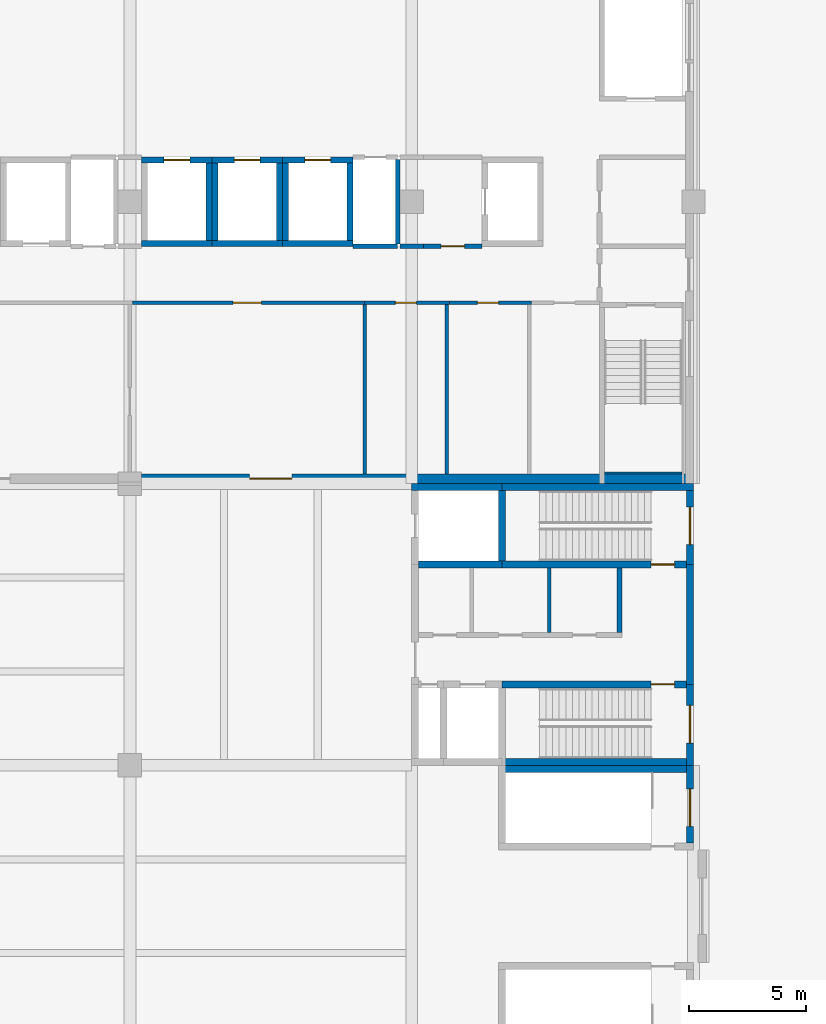
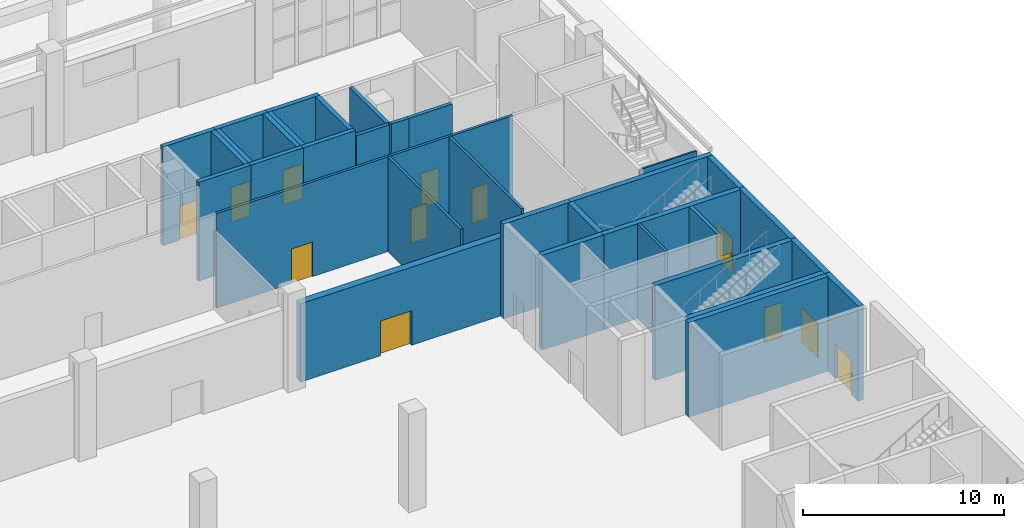
# One storey, part 48 of 59: 36 walls, 13 doors, 13 openings.
"""IFC4 building model written with IfcOpenShell, lengths in metres."""

from ifc_helpers import new_model, si_unit, direction, frame, frame_2d, origin, place, context, subcontext, project, spatial, rectangle, extrude, material, layer, layer_set, type_object, element, fill, save


model = new_model("IFC4")

# Units and contexts
model_context = context("Model", 3, precision=1e-05, world=origin(), true_north=direction((0.0, 1.0)))
body_context = subcontext(model_context, "Body", "Model", "MODEL_VIEW")
ifc_project = project(units=[si_unit("LENGTHUNIT", "METRE"), si_unit("AREAUNIT", "SQUARE_METRE"), si_unit("VOLUMEUNIT", "CUBIC_METRE"), si_unit("PLANEANGLEUNIT", "RADIAN"), si_unit("MASSUNIT", "GRAM", prefix="KILO")], contexts=[model_context])

# Site, building, storey
site_placement = place(None, origin())
site = spatial("IfcSite", under=ifc_project, at=site_placement, CompositionType="ELEMENT")
building_placement = place(site_placement, origin())
building = spatial("IfcBuilding", under=site, at=building_placement, Name="Lilac Gate Convention Centre", CompositionType="ELEMENT")
storey_placement = place(building_placement, origin())
storey = spatial("IfcBuildingStorey", under=building, at=storey_placement, Name="L00", CompositionType="ELEMENT", Elevation=0.0)

# Walls
ifc_material_1 = material(Name="Concrete C60", Category="concrete")
ifc_layer_1 = layer(ifc_material_1, 0.10009765625)
ifc_layer_set_1 = layer_set([ifc_layer_1], Name="Concrete C60")
wall_type_1 = type_object("IfcWallType", Name="Core wall 100 C60", PredefinedType="SHEAR", material=ifc_layer_set_1)
wall_1_placement = place(storey_placement, frame((89.5, 222.449951171875, 0.0), z_axis=(0.0, 0.0, 1.0), x_axis=(-1.0, 0.0, 0.0)))
element("IfcWall", 1, at=wall_1_placement, inside=storey, type_object=wall_type_1, Name="CRW8 core wall TS-EX L00 2", PredefinedType="SHEAR", context=body_context, shape_type="SweptSolid", body=[
    extrude(rectangle(XDim=3.300048828125, YDim=0.10009765625, at=frame_2d((1.64990234375, 0.0))), origin(), (0.0, 0.0, 1.0), 5.75),
])
ifc_layer_2 = layer(ifc_material_1, 0.25)
ifc_layer_set_2 = layer_set([ifc_layer_2], Name="Concrete C60")
wall_type_2 = type_object("IfcWallType", Name="Core wall 250 C60", PredefinedType="SHEAR", material=ifc_layer_set_2)
wall_2_placement = place(storey_placement, frame((66.5, 232.22509765625, 0.0), z_axis=(0.0, 0.0, 1.0), x_axis=(1.0, 0.0, 0.0)))
element("IfcWall", 2, at=wall_2_placement, inside=storey, type_object=wall_type_2, Name="CRW3 core wall TC L00 13", PredefinedType="SHEAR", context=body_context, shape_type="SweptSolid", body=[
    extrude(rectangle(XDim=3.0, YDim=0.25, at=frame_2d((1.5, 0.0))), origin(), (0.0, 0.0, 1.0), 6.0),
])

# Wall, opening, door
wall_3_placement = place(storey_placement, frame((66.5, 235.77490234375, 0.0), z_axis=(0.0, 0.0, 1.0), x_axis=(1.0, 0.0, 0.0)))
wall_3 = element("IfcWall", 3, at=wall_3_placement, inside=storey, type_object=wall_type_2, Name="CRW3 core wall TC L00 14", PredefinedType="SHEAR", context=body_context, shape_type="SweptSolid", body=[
    extrude(rectangle(XDim=3.0, YDim=0.25, at=frame_2d((1.5, 0.0))), origin(), (0.0, 0.0, 1.0), 6.0),
])
opening_1_placement = place(wall_3_placement, frame((0.949951171875, 0.0, 0.0)))
opening_1 = element("IfcOpeningElement", 4, at=opening_1_placement, cuts=wall_3, Name="Opening T00-019", PredefinedType="OPENING", context=body_context, shape_type="SweptSolid", body=[
    extrude(rectangle(XDim=1.10009765625, YDim=2.10009765625, at=frame_2d((0.550048828125, 1.050048828125))), frame((0.0, 0.135009765625, 0.0), z_axis=(0.0, -1.0, 0.0), x_axis=(1.0, 0.0, 0.0)), (0.0, 0.0, 1.0), 0.27001953125),
])
ifc_material_2 = material(Name="Stainless steel 304", Category="steel")
door_type_1 = type_object("IfcDoorType", Name="Lift landing door 1100", OperationType="SLIDING_TO_LEFT", PredefinedType="DOOR", material=ifc_material_2)
door_1_placement = place(opening_1_placement, origin())
door_1 = element("IfcDoor", 5, at=door_1_placement, inside=storey, type_object=door_type_1, Name="Lift landing door TP4 L00", OperationType="SLIDING_TO_LEFT", OverallHeight=2.10009765625, OverallWidth=1.10009765625, PredefinedType="DOOR", context=body_context, shape_type="SweptSolid", body=[
    extrude(rectangle(XDim=1.10009765625, YDim=2.10009765625, at=frame_2d((0.550048828125, 1.050048828125))), frame((0.0, 0.02490234375, 0.0), z_axis=(0.0, -1.0, 0.0), x_axis=(1.0, 0.0, 0.0)), (0.0, 0.0, 1.0), 0.050048828125),
])
fill(opening_1, door_1)

# Walls
wall_4_placement = place(storey_placement, frame((69.375, 232.35009765625, 0.0), z_axis=(0.0, 0.0, 1.0), x_axis=(0.0, 1.0, 0.0)))
element("IfcWall", 6, at=wall_4_placement, inside=storey, type_object=wall_type_2, Name="CRW3 core wall TC L00 16", PredefinedType="SHEAR", context=body_context, shape_type="SweptSolid", body=[
    extrude(rectangle(XDim=3.2998046875, YDim=0.25, at=frame_2d((1.64990234375, 0.0))), origin(), (0.0, 0.0, 1.0), 6.0),
])
wall_5_placement = place(storey_placement, frame((69.5, 232.22509765625, 0.0), z_axis=(0.0, 0.0, 1.0), x_axis=(1.0, 0.0, 0.0)))
element("IfcWall", 7, at=wall_5_placement, inside=storey, type_object=wall_type_2, Name="CRW3 core wall TC L00 17", PredefinedType="SHEAR", context=body_context, shape_type="SweptSolid", body=[
    extrude(rectangle(XDim=3.0, YDim=0.25, at=frame_2d((1.5, 0.0))), origin(), (0.0, 0.0, 1.0), 6.0),
])

# Wall, opening, door
wall_6_placement = place(storey_placement, frame((69.5, 235.77490234375, 0.0), z_axis=(0.0, 0.0, 1.0), x_axis=(1.0, 0.0, 0.0)))
wall_6 = element("IfcWall", 8, at=wall_6_placement, inside=storey, type_object=wall_type_2, Name="CRW3 core wall TC L00 18", PredefinedType="SHEAR", context=body_context, shape_type="SweptSolid", body=[
    extrude(rectangle(XDim=3.0, YDim=0.25, at=frame_2d((1.5, 0.0))), origin(), (0.0, 0.0, 1.0), 6.0),
])
opening_2_placement = place(wall_6_placement, frame((0.949951171875, 0.0, 0.0)))
opening_2 = element("IfcOpeningElement", 9, at=opening_2_placement, cuts=wall_6, Name="Opening T00-020", PredefinedType="OPENING", context=body_context, shape_type="SweptSolid", body=[
    extrude(rectangle(XDim=1.10009765625, YDim=2.10009765625, at=frame_2d((0.550048828125, 1.050048828125))), frame((0.0, 0.135009765625, 0.0), z_axis=(0.0, -1.0, 0.0), x_axis=(1.0, 0.0, 0.0)), (0.0, 0.0, 1.0), 0.27001953125),
])
door_2_placement = place(opening_2_placement, origin())
door_2 = element("IfcDoor", 10, at=door_2_placement, inside=storey, type_object=door_type_1, Name="Lift landing door TP5 L00", OperationType="SLIDING_TO_LEFT", OverallHeight=2.10009765625, OverallWidth=1.10009765625, PredefinedType="DOOR", context=body_context, shape_type="SweptSolid", body=[
    extrude(rectangle(XDim=1.10009765625, YDim=2.10009765625, at=frame_2d((0.550048828125, 1.050048828125))), frame((0.0, 0.02490234375, 0.0), z_axis=(0.0, -1.0, 0.0), x_axis=(1.0, 0.0, 0.0)), (0.0, 0.0, 1.0), 0.050048828125),
])
fill(opening_2, door_2)

# Walls
for number, where, z_axis, x_axis, name in (
    (11, (69.625, 232.35009765625, 0.0), (0.0, 0.0, 1.0), (0.0, 1.0, 0.0), "CRW3 core wall TC L00 19"),
    (12, (72.375, 232.35009765625, 0.0), (0.0, 0.0, 1.0), (0.0, 1.0, 0.0), "CRW3 core wall TC L00 20"),
):
    element("IfcWall", number, at=place(storey_placement, frame(where, z_axis=z_axis, x_axis=x_axis)), inside=storey, type_object=wall_type_2, Name=name, PredefinedType="SHEAR", context=body_context, shape_type="SweptSolid", body=[
        extrude(rectangle(XDim=3.2998046875, YDim=0.25, at=frame_2d((1.64990234375, 0.0))), origin(), (0.0, 0.0, 1.0), 6.0),
    ])
wall_7_placement = place(storey_placement, frame((72.5, 232.22509765625, 0.0), z_axis=(0.0, 0.0, 1.0), x_axis=(1.0, 0.0, 0.0)))
element("IfcWall", 13, at=wall_7_placement, inside=storey, type_object=wall_type_2, Name="CRW3 core wall TC L00 21", PredefinedType="SHEAR", context=body_context, shape_type="SweptSolid", body=[
    extrude(rectangle(XDim=3.0, YDim=0.25, at=frame_2d((1.5, 0.0))), origin(), (0.0, 0.0, 1.0), 6.0),
])

# Wall, opening, door
wall_8_placement = place(storey_placement, frame((72.5, 235.77490234375, 0.0), z_axis=(0.0, 0.0, 1.0), x_axis=(1.0, 0.0, 0.0)))
wall_8 = element("IfcWall", 14, at=wall_8_placement, inside=storey, type_object=wall_type_2, Name="CRW3 core wall TC L00 22", PredefinedType="SHEAR", context=body_context, shape_type="SweptSolid", body=[
    extrude(rectangle(XDim=3.0, YDim=0.25, at=frame_2d((1.5, 0.0))), origin(), (0.0, 0.0, 1.0), 6.0),
])
opening_3_placement = place(wall_8_placement, frame((0.949951171875, 0.0, 0.0)))
opening_3 = element("IfcOpeningElement", 15, at=opening_3_placement, cuts=wall_8, Name="Opening T00-021", PredefinedType="OPENING", context=body_context, shape_type="SweptSolid", body=[
    extrude(rectangle(XDim=1.10009765625, YDim=2.10009765625, at=frame_2d((0.550048828125, 1.050048828125))), frame((0.0, 0.135009765625, 0.0), z_axis=(0.0, -1.0, 0.0), x_axis=(1.0, 0.0, 0.0)), (0.0, 0.0, 1.0), 0.27001953125),
])
door_3_placement = place(opening_3_placement, origin())
door_3 = element("IfcDoor", 16, at=door_3_placement, inside=storey, type_object=door_type_1, Name="Lift landing door TP6 L00", OperationType="SLIDING_TO_LEFT", OverallHeight=2.10009765625, OverallWidth=1.10009765625, PredefinedType="DOOR", context=body_context, shape_type="SweptSolid", body=[
    extrude(rectangle(XDim=1.10009765625, YDim=2.10009765625, at=frame_2d((0.550048828125, 1.050048828125))), frame((0.0, 0.02490234375, 0.0), z_axis=(0.0, -1.0, 0.0), x_axis=(1.0, 0.0, 0.0)), (0.0, 0.0, 1.0), 0.050048828125),
])
fill(opening_3, door_3)

# Walls
for number, where, z_axis, x_axis, name in (
    (17, (72.625, 232.35009765625, 0.0), (0.0, 0.0, 1.0), (0.0, 1.0, 0.0), "CRW3 core wall TC L00 23"),
    (18, (75.375, 232.35009765625, 0.0), (0.0, 0.0, 1.0), (0.0, 1.0, 0.0), "CRW3 core wall TC L00 24"),
):
    element("IfcWall", number, at=place(storey_placement, frame(where, z_axis=z_axis, x_axis=x_axis)), inside=storey, type_object=wall_type_2, Name=name, PredefinedType="SHEAR", context=body_context, shape_type="SweptSolid", body=[
        extrude(rectangle(XDim=3.2998046875, YDim=0.25, at=frame_2d((1.64990234375, 0.0))), origin(), (0.0, 0.0, 1.0), 6.0),
    ])

# Wall, opening, door
ifc_material_3 = material(Name="Gypsum board on steel stud", Category="steel")
ifc_layer_3 = layer(ifc_material_3, 0.14990234375)
ifc_layer_set_3 = layer_set([ifc_layer_3], Name="Gypsum board on steel stud")
wall_type_3 = type_object("IfcWallType", Name="Corridor wall 150", PredefinedType="PARTITIONING", material=ifc_layer_set_3)
wall_9_placement = place(storey_placement, frame((76.0, 229.699951171875, 0.0), z_axis=(0.0, 0.0, 1.0), x_axis=(-1.0, 0.0, 0.0)))
wall_9 = element("IfcWall", 19, at=wall_9_placement, inside=storey, type_object=wall_type_3, Name="Corridor wall 150 front RKT", PredefinedType="PARTITIONING", context=body_context, shape_type="SweptSolid", body=[
    extrude(rectangle(XDim=9.89990234375, YDim=0.14990234375, at=frame_2d((4.949951171875, 0.0))), origin(), (0.0, 0.0, 1.0), 5.75),
])
opening_4_placement = place(wall_9_placement, frame((4.39990234375, 0.0, 0.0)))
opening_4 = element("IfcOpeningElement", 20, at=opening_4_placement, cuts=wall_9, Name="Opening T00-010", PredefinedType="OPENING", context=body_context, shape_type="SweptSolid", body=[
    extrude(rectangle(XDim=1.199951171875, YDim=2.10009765625, at=frame_2d((0.60009765625, 1.050048828125))), frame((0.0, 0.0849609375, 0.0), z_axis=(0.0, -1.0, 0.0), x_axis=(1.0, 0.0, 0.0)), (0.0, 0.0, 1.0), 0.169921875),
])
ifc_material_4 = material(Name="Steel Q235B", Category="steel")
door_type_2 = type_object("IfcDoorType", Name="Kitchen door 1200", OperationType="SINGLE_SWING_LEFT", PredefinedType="DOOR", material=ifc_material_4)
door_4_placement = place(opening_4_placement, origin())
door_4 = element("IfcDoor", 21, at=door_4_placement, inside=storey, type_object=door_type_2, Name="Restaurant Kitchen door", OperationType="SINGLE_SWING_LEFT", OverallHeight=2.10009765625, OverallWidth=1.199951171875, PredefinedType="DOOR", context=body_context, shape_type="SweptSolid", body=[
    extrude(rectangle(XDim=1.199951171875, YDim=2.10009765625, at=frame_2d((0.60009765625, 1.050048828125))), frame((0.0, 0.02490234375, 0.0), z_axis=(0.0, -1.0, 0.0), x_axis=(1.0, 0.0, 0.0)), (0.0, 0.0, 1.0), 0.050048828125),
])
fill(opening_4, door_4)

wall_10_placement = place(storey_placement, frame((79.60009765625, 229.699951171875, 0.0), z_axis=(0.0, 0.0, 1.0), x_axis=(-1.0, 0.0, 0.0)))
wall_10 = element("IfcWall", 22, at=wall_10_placement, inside=storey, type_object=wall_type_3, Name="Corridor wall 150 front WC-W", PredefinedType="PARTITIONING", context=body_context, shape_type="SweptSolid", body=[
    extrude(rectangle(XDim=3.60009765625, YDim=0.14990234375, at=frame_2d((1.800048828125, 0.0))), origin(), (0.0, 0.0, 1.0), 5.75),
])
opening_5_placement = place(wall_10_placement, frame((1.39990234375, 0.0, 0.0)))
opening_5 = element("IfcOpeningElement", 23, at=opening_5_placement, cuts=wall_10, Name="Opening T00-012", PredefinedType="OPENING", context=body_context, shape_type="SweptSolid", body=[
    extrude(rectangle(XDim=0.89990234375, YDim=2.10009765625, at=frame_2d((0.449951171875, 1.050048828125))), frame((0.0, 0.0849609375, 0.0), z_axis=(0.0, -1.0, 0.0), x_axis=(1.0, 0.0, 0.0)), (0.0, 0.0, 1.0), 0.169921875),
])
ifc_material_5 = material(Name="Timber", Category="wood")
door_type_3 = type_object("IfcDoorType", Name="WC door 900", OperationType="SINGLE_SWING_LEFT", PredefinedType="DOOR", material=ifc_material_5)
door_5_placement = place(opening_5_placement, origin())
door_5 = element("IfcDoor", 24, at=door_5_placement, inside=storey, type_object=door_type_3, Name="Women's WC door", OperationType="SINGLE_SWING_LEFT", OverallHeight=2.10009765625, OverallWidth=0.89990234375, PredefinedType="DOOR", context=body_context, shape_type="SweptSolid", body=[
    extrude(rectangle(XDim=0.89990234375, YDim=2.10009765625, at=frame_2d((0.449951171875, 1.050048828125))), frame((0.0, 0.02490234375, 0.0), z_axis=(0.0, -1.0, 0.0), x_axis=(1.0, 0.0, 0.0)), (0.0, 0.0, 1.0), 0.050048828125),
])
fill(opening_5, door_5)

wall_11_placement = place(storey_placement, frame((83.10009765625, 229.699951171875, 0.0), z_axis=(0.0, 0.0, 1.0), x_axis=(-1.0, 0.0, 0.0)))
wall_11 = element("IfcWall", 25, at=wall_11_placement, inside=storey, type_object=wall_type_3, Name="Corridor wall 150 front WC-M", PredefinedType="PARTITIONING", context=body_context, shape_type="SweptSolid", body=[
    extrude(rectangle(XDim=3.5, YDim=0.14990234375, at=frame_2d((1.75, 0.0))), origin(), (0.0, 0.0, 1.0), 5.75),
])
opening_6_placement = place(wall_11_placement, frame((1.39990234375, 0.0, 0.0)))
opening_6 = element("IfcOpeningElement", 26, at=opening_6_placement, cuts=wall_11, Name="Opening T00-013", PredefinedType="OPENING", context=body_context, shape_type="SweptSolid", body=[
    extrude(rectangle(XDim=0.89990234375, YDim=2.10009765625, at=frame_2d((0.449951171875, 1.050048828125))), frame((0.0, 0.0849609375, 0.0), z_axis=(0.0, -1.0, 0.0), x_axis=(1.0, 0.0, 0.0)), (0.0, 0.0, 1.0), 0.169921875),
])
door_6_placement = place(opening_6_placement, origin())
door_6 = element("IfcDoor", 27, at=door_6_placement, inside=storey, type_object=door_type_3, Name="Men's WC door", OperationType="SINGLE_SWING_LEFT", OverallHeight=2.10009765625, OverallWidth=0.89990234375, PredefinedType="DOOR", context=body_context, shape_type="SweptSolid", body=[
    extrude(rectangle(XDim=0.89990234375, YDim=2.10009765625, at=frame_2d((0.449951171875, 1.050048828125))), frame((0.0, 0.02490234375, 0.0), z_axis=(0.0, -1.0, 0.0), x_axis=(1.0, 0.0, 0.0)), (0.0, 0.0, 1.0), 0.050048828125),
])
fill(opening_6, door_6)

ifc_material_6 = material(Name="Concrete C30", Category="concrete")
ifc_layer_4 = layer(ifc_material_6, 0.39990234375)
ifc_layer_set_4 = layer_set([ifc_layer_4], Name="Concrete C30")
wall_type_4 = type_object("IfcWallType", Name="Hall fire wall 400", PredefinedType="SOLIDWALL", material=ifc_layer_set_4)
wall_12_placement = place(storey_placement, frame((66.5, 222.199951171875, 0.0), z_axis=(0.0, 0.0, 1.0), x_axis=(1.0, 0.0, 0.0)))
wall_12 = element("IfcWall", 28, at=wall_12_placement, inside=storey, type_object=wall_type_4, Name="Compartment wall S L00 3", PredefinedType="SOLIDWALL", context=body_context, shape_type="SweptSolid", body=[
    extrude(rectangle(XDim=23.5, YDim=0.39990234375, at=frame_2d((11.75, 0.0))), origin(), (0.0, 0.0, 1.0), 4.75),
])
opening_7_placement = place(wall_12_placement, frame((4.60009765625, 0.0, 0.0)))
opening_7 = element("IfcOpeningElement", 29, at=opening_7_placement, cuts=wall_12, Name="Opening L00-149", PredefinedType="OPENING", context=body_context, shape_type="SweptSolid", body=[
    extrude(rectangle(XDim=1.800048828125, YDim=2.10009765625, at=frame_2d((0.89990234375, 1.050048828125))), frame((0.0, 0.2099609375, 0.0), z_axis=(0.0, -1.0, 0.0), x_axis=(1.0, 0.0, 0.0)), (0.0, 0.0, 1.0), 0.419921875),
])
door_type_4 = type_object("IfcDoorType", Name="Door 1800 x 2100 double leaf FD90", OperationType="DOUBLE_DOOR_SINGLE_SWING", PredefinedType="DOOR", material=ifc_material_4)
door_7_placement = place(opening_7_placement, frame((1.800048828125, 0.0, 0.0), z_axis=(0.0, 0.0, 1.0), x_axis=(-1.0, 0.0, 0.0)))
door_7 = element("IfcDoor", 30, at=door_7_placement, inside=storey, type_object=door_type_4, Name="Fire door to hotel L00-149", OperationType="DOUBLE_DOOR_SINGLE_SWING", OverallHeight=2.10009765625, OverallWidth=1.800048828125, PredefinedType="DOOR", context=body_context, shape_type="SweptSolid", body=[
    extrude(rectangle(XDim=1.800048828125, YDim=2.10009765625, at=frame_2d((0.89990234375, 1.050048828125))), frame((0.0, 0.02490234375, 0.0), z_axis=(0.0, -1.0, 0.0), x_axis=(1.0, 0.0, 0.0)), (0.0, 0.0, 1.0), 0.050048828125),
])
fill(opening_7, door_7)

ifc_layer_5 = layer(ifc_material_3, 0.199951171875)
ifc_layer_set_5 = layer_set([ifc_layer_5], Name="Gypsum board on steel stud")
wall_type_5 = type_object("IfcWallType", Name="Lobby wall 200", PredefinedType="PARTITIONING", material=ifc_layer_set_5)
wall_13_placement = place(storey_placement, frame((78.5, 232.10009765625, 0.0), z_axis=(0.0, 0.0, 1.0), x_axis=(1.0, 0.0, 0.0)))
wall_13 = element("IfcWall", 31, at=wall_13_placement, inside=storey, type_object=wall_type_5, Name="Lobby wall 200 FFL-S", PredefinedType="PARTITIONING", context=body_context, shape_type="SweptSolid", body=[
    extrude(rectangle(XDim=2.5, YDim=0.199951171875, at=frame_2d((1.25, 0.0))), origin(), (0.0, 0.0, 1.0), 5.75),
])
opening_8_placement = place(wall_13_placement, frame((0.75, 0.0, 0.0)))
opening_8 = element("IfcOpeningElement", 32, at=opening_8_placement, cuts=wall_13, Name="Opening T00-004", PredefinedType="OPENING", context=body_context, shape_type="SweptSolid", body=[
    extrude(rectangle(XDim=1.0, YDim=2.10009765625, at=frame_2d((0.5, 1.050048828125))), frame((0.0, 0.10986328125, 0.0), z_axis=(0.0, -1.0, 0.0), x_axis=(1.0, 0.0, 0.0)), (0.0, 0.0, 1.0), 0.219970703125),
])
door_type_5 = type_object("IfcDoorType", Name="Lobby door 1000", OperationType="SINGLE_SWING_LEFT", PredefinedType="DOOR", material=ifc_material_4)
door_8_placement = place(opening_8_placement, origin())
door_8 = element("IfcDoor", 33, at=door_8_placement, inside=storey, type_object=door_type_5, Name="Firefighting lobby door", OperationType="SINGLE_SWING_RIGHT", OverallHeight=2.10009765625, OverallWidth=1.0, PredefinedType="DOOR", context=body_context, shape_type="SweptSolid", body=[
    extrude(rectangle(XDim=1.0, YDim=2.10009765625, at=frame_2d((0.5, 1.050048828125))), frame((0.0, 0.02490234375, 0.0), z_axis=(0.0, -1.0, 0.0), x_axis=(1.0, 0.0, 0.0)), (0.0, 0.0, 1.0), 0.050048828125),
])
fill(opening_8, door_8)

# Walls
ifc_material_7 = material(Name="Fire-rated gypsum board on steel stud", Category="steel")
ifc_layer_6 = layer(ifc_material_7, 0.14990234375)
ifc_layer_set_6 = layer_set([ifc_layer_6], Name="Fire-rated gypsum board on steel stud")
wall_type_6 = type_object("IfcWallType", Name="Partition 150 fire-rated gypsum board EI 60", PredefinedType="PARTITIONING", material=ifc_layer_set_6)
wall_14_placement = place(storey_placement, frame((83.85009765625, 215.64990234375, 0.0), z_axis=(0.0, 0.0, 1.0), x_axis=(0.0, 1.0, 0.0)))
element("IfcWall", 34, at=wall_14_placement, inside=storey, type_object=wall_type_6, Name="Partition 150 fire-rated gypsum board EI 60", PredefinedType="PARTITIONING", context=body_context, shape_type="SweptSolid", body=[
    extrude(rectangle(XDim=2.75, YDim=0.14990234375, at=frame_2d((1.375, 0.0))), origin(), (0.0, 0.0, 1.0), 5.75),
])
ifc_material_8 = material(Name="Clay brick masonry", Category="masonry")
ifc_layer_7 = layer(ifc_material_8, 0.199951171875)
ifc_layer_set_7 = layer_set([ifc_layer_7], Name="Clay brick masonry")
wall_type_7 = type_object("IfcWallType", Name="Partition 200 brick EI 60", PredefinedType="PARTITIONING", material=ifc_layer_set_7)
wall_15_placement = place(storey_placement, frame((86.85009765625, 215.64990234375, 0.0), z_axis=(0.0, 0.0, 1.0), x_axis=(0.0, 1.0, 0.0)))
element("IfcWall", 35, at=wall_15_placement, inside=storey, type_object=wall_type_7, Name="Partition 200 brick EI 60", PredefinedType="PARTITIONING", context=body_context, shape_type="SweptSolid", body=[
    extrude(rectangle(XDim=2.75, YDim=0.199951171875, at=frame_2d((1.375, 0.0))), origin(), (0.0, 0.0, 1.0), 5.75),
])
ifc_layer_8 = layer(ifc_material_3, 0.199951171875)
ifc_layer_set_8 = layer_set([ifc_layer_8], Name="Gypsum board on steel stud")
wall_type_8 = type_object("IfcWallType", Name="Riser and store wall 200", PredefinedType="PARTITIONING", material=ifc_layer_set_8)
wall_16_placement = place(storey_placement, frame((75.5, 232.10009765625, 0.0), z_axis=(0.0, 0.0, 1.0), x_axis=(1.0, 0.0, 0.0)))
element("IfcWall", 36, at=wall_16_placement, inside=storey, type_object=wall_type_8, Name="Riser and store wall 200 RS2-S", PredefinedType="PARTITIONING", context=body_context, shape_type="SweptSolid", body=[
    extrude(rectangle(XDim=1.89990234375, YDim=0.199951171875, at=frame_2d((0.949951171875, 0.0))), origin(), (0.0, 0.0, 1.0), 5.75),
])
wall_17_placement = place(storey_placement, frame((77.5, 232.10009765625, 0.0), z_axis=(0.0, 0.0, 1.0), x_axis=(1.0, 0.0, 0.0)))
element("IfcWall", 37, at=wall_17_placement, inside=storey, type_object=wall_type_8, Name="Riser and store wall 200 NICHE3-S", PredefinedType="PARTITIONING", context=body_context, shape_type="SweptSolid", body=[
    extrude(rectangle(XDim=1.0, YDim=0.199951171875, at=frame_2d((0.5, 0.0))), origin(), (0.0, 0.0, 1.0), 5.75),
])
wall_18_placement = place(storey_placement, frame((77.39990234375, 232.199951171875, 0.0), z_axis=(0.0, 0.0, 1.0), x_axis=(0.0, 1.0, 0.0)))
element("IfcWall", 38, at=wall_18_placement, inside=storey, type_object=wall_type_8, Name="Riser and store wall 200 RS2-E", PredefinedType="PARTITIONING", context=body_context, shape_type="SweptSolid", body=[
    extrude(rectangle(XDim=3.60009765625, YDim=0.199951171875, at=frame_2d((1.800048828125, 0.0))), origin(), (0.0, 0.0, 1.0), 5.75),
])
ifc_layer_9 = layer(ifc_material_3, 0.14990234375)
ifc_layer_set_9 = layer_set([ifc_layer_9], Name="Gypsum board on steel stud")
wall_type_9 = type_object("IfcWallType", Name="Room partition 150", PredefinedType="PARTITIONING", material=ifc_layer_set_9)
for number, where, z_axis, x_axis, name in (
    (39, (76.0, 222.39990234375, 0.0), (0.0, 0.0, 1.0), (0.0, 1.0, 0.0), "Room partition 150 part WC-W"),
    (40, (79.5, 222.39990234375, 0.0), (0.0, 0.0, 1.0), (0.0, 1.0, 0.0), "Room partition 150 part WC-M"),
):
    element("IfcWall", number, at=place(storey_placement, frame(where, z_axis=z_axis, x_axis=x_axis)), inside=storey, type_object=wall_type_9, Name=name, PredefinedType="PARTITIONING", context=body_context, shape_type="SweptSolid", body=[
        extrude(rectangle(XDim=7.22509765625, YDim=0.14990234375, at=frame_2d((3.612548828125, 0.0))), origin(), (0.0, 0.0, 1.0), 5.75),
    ])
ifc_material_9 = material(Name="Concrete C40", Category="concrete")
ifc_layer_10 = layer(ifc_material_9, 0.300048828125)
ifc_layer_set_10 = layer_set([ifc_layer_10], Name="Concrete C40")
wall_type_10 = type_object("IfcWallType", Name="Shear wall 300 C40", PredefinedType="SHEAR", material=ifc_layer_set_10)
wall_19_placement = place(storey_placement, frame((90.0, 209.85009765625, 0.0), z_axis=(0.0, 0.0, 1.0), x_axis=(-1.0, 0.0, 0.0)))
element("IfcWall", 41, at=wall_19_placement, inside=storey, type_object=wall_type_10, Name="SW1 shear wall BE4 L00 2", PredefinedType="SHEAR", context=body_context, shape_type="SweptSolid", body=[
    extrude(rectangle(XDim=8.300048828125, YDim=0.300048828125, at=frame_2d((4.14990234375, 0.0))), origin(), (0.0, 0.0, 1.0), 5.75),
])

# Wall, opening, door
wall_20_placement = place(storey_placement, frame((89.85009765625, 206.699951171875, 0.0), z_axis=(0.0, 0.0, 1.0), x_axis=(0.0, 1.0, 0.0)))
wall_20 = element("IfcWall", 42, at=wall_20_placement, inside=storey, type_object=wall_type_10, Name="SW1 shear wall BE4 L00 3", PredefinedType="SHEAR", context=body_context, shape_type="SweptSolid", body=[
    extrude(rectangle(XDim=3.300048828125, YDim=0.300048828125, at=frame_2d((1.64990234375, 0.0))), origin(), (0.0, 0.0, 1.0), 5.75),
])
opening_9_placement = place(wall_20_placement, frame((0.699951171875, 0.0, 0.0)))
opening_9 = element("IfcOpeningElement", 43, at=opening_9_placement, cuts=wall_20, Name="Opening L00-127", PredefinedType="OPENING", context=body_context, shape_type="SweptSolid", body=[
    extrude(rectangle(XDim=1.60009765625, YDim=2.10009765625, at=frame_2d((0.800048828125, 1.050048828125))), frame((0.0, 0.159912109375, 0.0), z_axis=(0.0, -1.0, 0.0), x_axis=(1.0, 0.0, 0.0)), (0.0, 0.0, 1.0), 0.320068359375),
])
ifc_material_10 = material(Name="Timber fire door leaf", Category="wood")
door_type_6 = type_object("IfcDoorType", Name="Door 1600 x 2100 double leaf FD60", OperationType="DOUBLE_DOOR_SINGLE_SWING", PredefinedType="DOOR", material=ifc_material_10)
door_9_placement = place(opening_9_placement, frame((1.60009765625, 0.0, 0.0), z_axis=(0.0, 0.0, 1.0), x_axis=(-1.0, 0.0, 0.0)))
door_9 = element("IfcDoor", 44, at=door_9_placement, inside=storey, type_object=door_type_6, Name="Stair exit door L00-127", OperationType="DOUBLE_DOOR_SINGLE_SWING", OverallHeight=2.10009765625, OverallWidth=1.60009765625, PredefinedType="DOOR", context=body_context, shape_type="SweptSolid", body=[
    extrude(rectangle(XDim=1.60009765625, YDim=2.10009765625, at=frame_2d((0.800048828125, 1.050048828125))), frame((0.0, 0.02490234375, 0.0), z_axis=(0.0, -1.0, 0.0), x_axis=(1.0, 0.0, 0.0)), (0.0, 0.0, 1.0), 0.050048828125),
])
fill(opening_9, door_9)

# Walls
for number, where, z_axis, x_axis, name in (
    (45, (90.0, 210.14990234375, 0.0), (0.0, 0.0, 1.0), (-1.0, 0.0, 0.0), "SW1 shear wall E4 L00 1"),
    (46, (90.0, 221.85009765625, 0.0), (0.0, 0.0, 1.0), (-1.0, 0.0, 0.0), "SW1 shear wall E4 L00 4"),
):
    element("IfcWall", number, at=place(storey_placement, frame(where, z_axis=z_axis, x_axis=x_axis)), inside=storey, type_object=wall_type_10, Name=name, PredefinedType="SHEAR", context=body_context, shape_type="SweptSolid", body=[
        extrude(rectangle(XDim=8.14990234375, YDim=0.300048828125, at=frame_2d((4.074951171875, 0.0))), origin(), (0.0, 0.0, 1.0), 5.75),
    ])
wall_21_placement = place(storey_placement, frame((81.85009765625, 221.85009765625, 0.0), z_axis=(0.0, 0.0, 1.0), x_axis=(-1.0, 0.0, 0.0)))
element("IfcWall", 47, at=wall_21_placement, inside=storey, type_object=wall_type_10, Name="SW1 shear wall E4 L00 5", PredefinedType="SHEAR", context=body_context, shape_type="SweptSolid", body=[
    extrude(rectangle(XDim=3.85009765625, YDim=0.300048828125, at=frame_2d((1.925048828125, 0.0))), origin(), (0.0, 0.0, 1.0), 5.75),
])

# Wall, opening, door
wall_22_placement = place(storey_placement, frame((89.699951171875, 213.449951171875, 0.0), z_axis=(0.0, 0.0, 1.0), x_axis=(-1.0, 0.0, 0.0)))
wall_22 = element("IfcWall", 48, at=wall_22_placement, inside=storey, type_object=wall_type_10, Name="SW1 shear wall E4 L00 6", PredefinedType="SHEAR", context=body_context, shape_type="SweptSolid", body=[
    extrude(rectangle(XDim=7.849853515625, YDim=0.300048828125, at=frame_2d((3.9248046875, 0.0))), origin(), (0.0, 0.0, 1.0), 5.75),
])
opening_10_placement = place(wall_22_placement, frame((0.5, 0.0, 0.0)))
opening_10 = element("IfcOpeningElement", 49, at=opening_10_placement, cuts=wall_22, Name="Opening L00-133", PredefinedType="OPENING", context=body_context, shape_type="SweptSolid", body=[
    extrude(rectangle(XDim=1.0, YDim=2.10009765625, at=frame_2d((0.5, 1.050048828125))), frame((0.0, 0.159912109375, 0.0), z_axis=(0.0, -1.0, 0.0), x_axis=(1.0, 0.0, 0.0)), (0.0, 0.0, 1.0), 0.320068359375),
])
door_type_7 = type_object("IfcDoorType", Name="Door 1000 x 2100 single leaf FD60", OperationType="SINGLE_SWING_LEFT", PredefinedType="DOOR", material=ifc_material_10)
door_10_placement = place(opening_10_placement, origin())
door_10 = element("IfcDoor", 50, at=door_10_placement, inside=storey, type_object=door_type_7, Name="Stair door L00-133", OperationType="SINGLE_SWING_RIGHT", OverallHeight=2.10009765625, OverallWidth=1.0, PredefinedType="DOOR", context=body_context, shape_type="SweptSolid", body=[
    extrude(rectangle(XDim=1.0, YDim=2.10009765625, at=frame_2d((0.5, 1.050048828125))), frame((0.0, 0.02490234375, 0.0), z_axis=(0.0, -1.0, 0.0), x_axis=(1.0, 0.0, 0.0)), (0.0, 0.0, 1.0), 0.050048828125),
])
fill(opening_10, door_10)

wall_23_placement = place(storey_placement, frame((89.699951171875, 218.550048828125, 0.0), z_axis=(0.0, 0.0, 1.0), x_axis=(-1.0, 0.0, 0.0)))
wall_23 = element("IfcWall", 51, at=wall_23_placement, inside=storey, type_object=wall_type_10, Name="SW1 shear wall E4 L00 9", PredefinedType="SHEAR", context=body_context, shape_type="SweptSolid", body=[
    extrude(rectangle(XDim=7.849853515625, YDim=0.300048828125, at=frame_2d((3.9248046875, 0.0))), origin(), (0.0, 0.0, 1.0), 5.75),
])
opening_11_placement = place(wall_23_placement, frame((0.5, 0.0, 0.0)))
opening_11 = element("IfcOpeningElement", 52, at=opening_11_placement, cuts=wall_23, Name="Opening L00-143", PredefinedType="OPENING", context=body_context, shape_type="SweptSolid", body=[
    extrude(rectangle(XDim=1.0, YDim=2.10009765625, at=frame_2d((0.5, 1.050048828125))), frame((0.0, 0.159912109375, 0.0), z_axis=(0.0, -1.0, 0.0), x_axis=(1.0, 0.0, 0.0)), (0.0, 0.0, 1.0), 0.320068359375),
])
door_11_placement = place(opening_11_placement, frame((1.0, 0.0, 0.0), z_axis=(0.0, 0.0, 1.0), x_axis=(-1.0, 0.0, 0.0)))
door_11 = element("IfcDoor", 53, at=door_11_placement, inside=storey, type_object=door_type_7, Name="Stair door L00-143", OperationType="SINGLE_SWING_LEFT", OverallHeight=2.10009765625, OverallWidth=1.0, PredefinedType="DOOR", context=body_context, shape_type="SweptSolid", body=[
    extrude(rectangle(XDim=1.0, YDim=2.10009765625, at=frame_2d((0.5, 1.050048828125))), frame((0.0, 0.02490234375, 0.0), z_axis=(0.0, -1.0, 0.0), x_axis=(1.0, 0.0, 0.0)), (0.0, 0.0, 1.0), 0.050048828125),
])
fill(opening_11, door_11)

# Wall
wall_24_placement = place(storey_placement, frame((81.85009765625, 218.550048828125, 0.0), z_axis=(0.0, 0.0, 1.0), x_axis=(-1.0, 0.0, 0.0)))
element("IfcWall", 54, at=wall_24_placement, inside=storey, type_object=wall_type_10, Name="SW1 shear wall E4 L00 10", PredefinedType="SHEAR", context=body_context, shape_type="SweptSolid", body=[
    extrude(rectangle(XDim=3.550048828125, YDim=0.300048828125, at=frame_2d((1.77490234375, 0.0))), origin(), (0.0, 0.0, 1.0), 5.75),
])

# Wall, opening, door
wall_25_placement = place(storey_placement, frame((89.85009765625, 210.0, 0.0), z_axis=(0.0, 0.0, 1.0), x_axis=(0.0, 1.0, 0.0)))
wall_25 = element("IfcWall", 55, at=wall_25_placement, inside=storey, type_object=wall_type_10, Name="SW1 shear wall E4 L00 11", PredefinedType="SHEAR", context=body_context, shape_type="SweptSolid", body=[
    extrude(rectangle(XDim=3.449951171875, YDim=0.300048828125, at=frame_2d((1.72509765625, 0.0))), origin(), (0.0, 0.0, 1.0), 5.75),
])
opening_12_placement = place(wall_25_placement, frame((0.949951171875, 0.0, 0.0)))
opening_12 = element("IfcOpeningElement", 56, at=opening_12_placement, cuts=wall_25, Name="Opening L00-129", PredefinedType="OPENING", context=body_context, shape_type="SweptSolid", body=[
    extrude(rectangle(XDim=1.60009765625, YDim=2.10009765625, at=frame_2d((0.800048828125, 1.050048828125))), frame((0.0, 0.159912109375, 0.0), z_axis=(0.0, -1.0, 0.0), x_axis=(1.0, 0.0, 0.0)), (0.0, 0.0, 1.0), 0.320068359375),
])
door_12_placement = place(opening_12_placement, frame((1.60009765625, 0.0, 0.0), z_axis=(0.0, 0.0, 1.0), x_axis=(-1.0, 0.0, 0.0)))
door_12 = element("IfcDoor", 57, at=door_12_placement, inside=storey, type_object=door_type_6, Name="Stair exit door L00-129", OperationType="DOUBLE_DOOR_SINGLE_SWING", OverallHeight=2.10009765625, OverallWidth=1.60009765625, PredefinedType="DOOR", context=body_context, shape_type="SweptSolid", body=[
    extrude(rectangle(XDim=1.60009765625, YDim=2.10009765625, at=frame_2d((0.800048828125, 1.050048828125))), frame((0.0, 0.02490234375, 0.0), z_axis=(0.0, -1.0, 0.0), x_axis=(1.0, 0.0, 0.0)), (0.0, 0.0, 1.0), 0.050048828125),
])
fill(opening_12, door_12)

# Wall
wall_26_placement = place(storey_placement, frame((89.85009765625, 213.449951171875, 0.0), z_axis=(0.0, 0.0, 1.0), x_axis=(0.0, 1.0, 0.0)))
element("IfcWall", 58, at=wall_26_placement, inside=storey, type_object=wall_type_10, Name="SW1 shear wall E4 L00 12", PredefinedType="SHEAR", context=body_context, shape_type="SweptSolid", body=[
    extrude(rectangle(XDim=5.10009765625, YDim=0.300048828125, at=frame_2d((2.550048828125, 0.0))), origin(), (0.0, 0.0, 1.0), 5.75),
])

# Wall, opening, door
wall_27_placement = place(storey_placement, frame((89.85009765625, 218.550048828125, 0.0), z_axis=(0.0, 0.0, 1.0), x_axis=(0.0, 1.0, 0.0)))
wall_27 = element("IfcWall", 59, at=wall_27_placement, inside=storey, type_object=wall_type_10, Name="SW1 shear wall E4 L00 13", PredefinedType="SHEAR", context=body_context, shape_type="SweptSolid", body=[
    extrude(rectangle(XDim=3.14990234375, YDim=0.300048828125, at=frame_2d((1.574951171875, 0.0))), origin(), (0.0, 0.0, 1.0), 5.75),
])
opening_13_placement = place(wall_27_placement, frame((0.85009765625, 0.0, 0.0)))
opening_13 = element("IfcOpeningElement", 60, at=opening_13_placement, cuts=wall_27, Name="Opening L00-147", PredefinedType="OPENING", context=body_context, shape_type="SweptSolid", body=[
    extrude(rectangle(XDim=1.60009765625, YDim=2.10009765625, at=frame_2d((0.800048828125, 1.050048828125))), frame((0.0, 0.159912109375, 0.0), z_axis=(0.0, -1.0, 0.0), x_axis=(1.0, 0.0, 0.0)), (0.0, 0.0, 1.0), 0.320068359375),
])
door_13_placement = place(opening_13_placement, frame((1.60009765625, 0.0, 0.0), z_axis=(0.0, 0.0, 1.0), x_axis=(-1.0, 0.0, 0.0)))
door_13 = element("IfcDoor", 61, at=door_13_placement, inside=storey, type_object=door_type_6, Name="Stair exit door L00-147", OperationType="DOUBLE_DOOR_SINGLE_SWING", OverallHeight=2.10009765625, OverallWidth=1.60009765625, PredefinedType="DOOR", context=body_context, shape_type="SweptSolid", body=[
    extrude(rectangle(XDim=1.60009765625, YDim=2.10009765625, at=frame_2d((0.800048828125, 1.050048828125))), frame((0.0, 0.02490234375, 0.0), z_axis=(0.0, -1.0, 0.0), x_axis=(1.0, 0.0, 0.0)), (0.0, 0.0, 1.0), 0.050048828125),
])
fill(opening_13, door_13)

# Wall
wall_28_placement = place(storey_placement, frame((81.85009765625, 218.699951171875, 0.0), z_axis=(0.0, 0.0, 1.0), x_axis=(0.0, 1.0, 0.0)))
element("IfcWall", 62, at=wall_28_placement, inside=storey, type_object=wall_type_10, Name="SW1 shear wall E4 L00 18", PredefinedType="SHEAR", context=body_context, shape_type="SweptSolid", body=[
    extrude(rectangle(XDim=3.0, YDim=0.300048828125, at=frame_2d((1.5, 0.0))), origin(), (0.0, 0.0, 1.0), 5.75),
])

save(model, "model.ifc")
